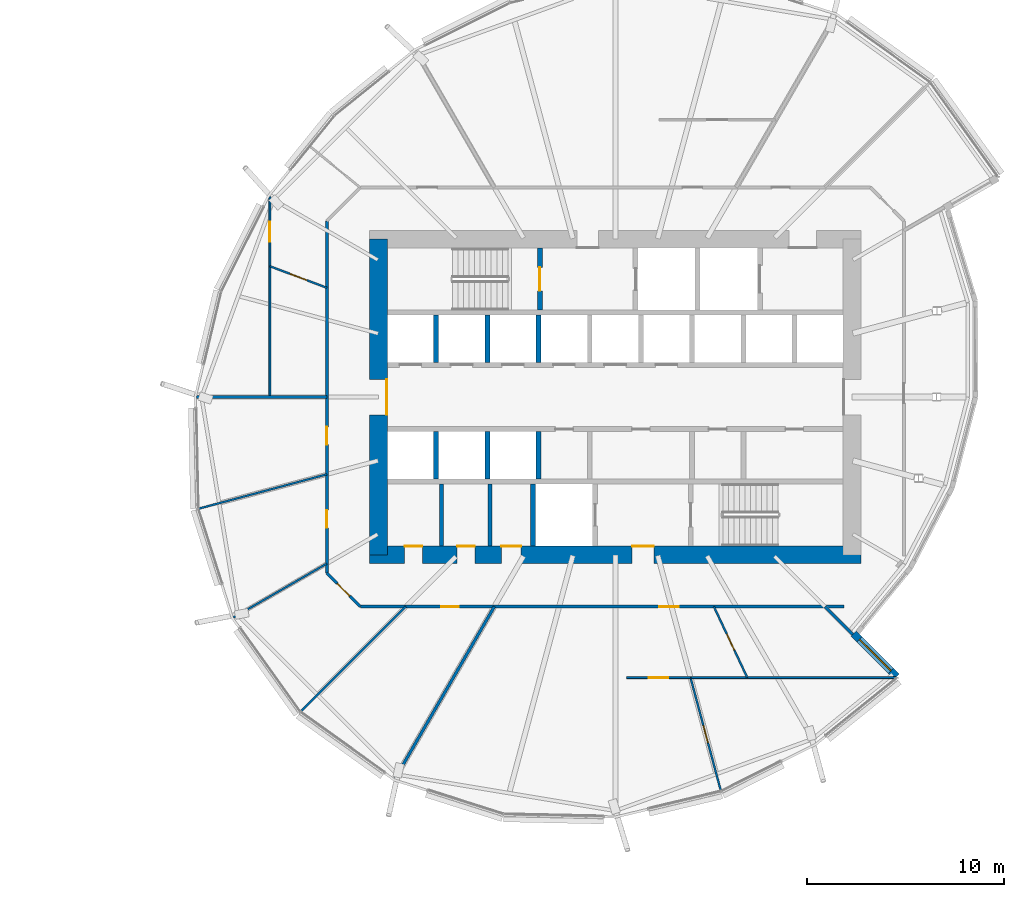
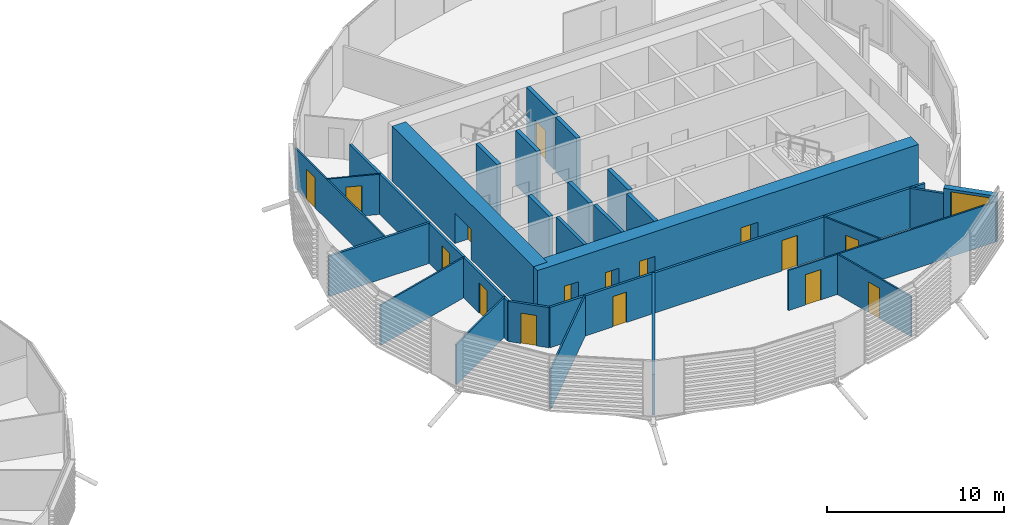
# One storey, part 23 of 37: 28 walls, 16 doors, 1 window, 17 openings.
"""IFC4 building model written with IfcOpenShell, lengths in metres."""

from ifc_helpers import new_model, si_unit, direction, frame, frame_2d, origin, place, context, subcontext, project, spatial, rectangle, extrude, material, layer, layer_set, type_object, element, fill, save


model = new_model("IFC4")

# Units and contexts
model_context = context("Model", 3, precision=1e-05, world=origin(), true_north=direction((0.0, 1.0)))
body_context = subcontext(model_context, "Body", "Model", "MODEL_VIEW")
ifc_project = project(units=[si_unit("LENGTHUNIT", "METRE"), si_unit("AREAUNIT", "SQUARE_METRE"), si_unit("VOLUMEUNIT", "CUBIC_METRE"), si_unit("PLANEANGLEUNIT", "RADIAN"), si_unit("MASSUNIT", "GRAM", prefix="KILO")], contexts=[model_context])

# Site, building, storey
site_placement = place(None, origin())
site = spatial("IfcSite", under=ifc_project, at=site_placement, CompositionType="ELEMENT")
building_placement = place(site_placement, origin())
building = spatial("IfcBuilding", under=site, at=building_placement, Name="Rimbun Link Towers", CompositionType="ELEMENT")
storey_placement = place(building_placement, frame((0.0, 0.0, 45.199951171875)))
storey = spatial("IfcBuildingStorey", under=building, at=storey_placement, Name="L10", CompositionType="ELEMENT", Elevation=45.199951171875)

# Wall, opening, window
ifc_material_1 = material(Name="Dark enamelled glass spandrel on insulated aluminium backpan", Category="aluminium")
ifc_layer_1 = layer(ifc_material_1, 0.3701171875)
ifc_layer_set_1 = layer_set([ifc_layer_1], Name="CS dark enamelled spandrel wall 370")
wall_type_1 = type_object("IfcWallType", Name="CS dark enamelled spandrel wall 370", PredefinedType="STANDARD", material=ifc_layer_set_1)
wall_1_placement = place(storey_placement, frame((43.83544921875, -11.99365234375, 0.0), z_axis=(0.0, 0.0, 1.0), x_axis=(0.707106781187, -0.707106781187, 0.0)))
wall_1 = element("IfcWall", 1, at=wall_1_placement, inside=storey, type_object=wall_type_1, Name="Crease spandrel wall", PredefinedType="STANDARD", context=body_context, shape_type="SweptSolid", body=[
    extrude(rectangle(XDim=3.080078125, YDim=0.3701171875, at=frame_2d((1.5400390625, 0.0))), origin(), (0.0, 0.0, 1.0), 3.1767578125),
])
opening_1_placement = place(wall_1_placement, frame((0.4150390625, 0.0, 0.300048828125)))
opening_1 = element("IfcOpeningElement", 2, at=opening_1_placement, cuts=wall_1, Name="Opening WR22H270", PredefinedType="OPENING", context=body_context, shape_type="SweptSolid", body=[
    extrude(rectangle(XDim=2.25, YDim=2.699951171875, at=frame_2d((1.125, 1.35009765625))), frame((0.0, 0.195068359375, 0.0), z_axis=(0.0, -1.0, 0.0), x_axis=(1.0, 0.0, 0.0)), (0.0, 0.0, 1.0), 0.39013671875),
])
ifc_material_2 = material(Name="Aluminium framed fixed window, dark tinted low-e glass", Category="aluminium")
window_type = type_object("IfcWindowType", Name="WR ribbon window 2250X2700", PartitioningType="SINGLE_PANEL", PredefinedType="WINDOW", material=ifc_material_2)
window_placement = place(opening_1_placement, origin())
window = element("IfcWindow", 3, at=window_placement, inside=storey, type_object=window_type, Name="Crease ribbon window", OverallHeight=2.699951171875, OverallWidth=2.25, PartitioningType="SINGLE_PANEL", PredefinedType="WINDOW", context=body_context, shape_type="SweptSolid", body=[
    extrude(rectangle(XDim=2.25, YDim=2.699951171875, at=frame_2d((1.125, 1.35009765625))), frame((0.0, 0.030029296875, 0.0), z_axis=(0.0, -1.0, 0.0), x_axis=(1.0, 0.0, 0.0)), (0.0, 0.0, 1.0), 0.06005859375),
])
fill(opening_1, window)

# Walls
ifc_material_3 = material(Name="Masonry blockwork", Category="masonry")
ifc_layer_2 = layer(ifc_material_3, 0.199951171875)
ifc_layer_set_2 = layer_set([ifc_layer_2], Name="Core partition 200")
wall_type_2 = type_object("IfcWallType", Name="Core partition 200", PredefinedType="PARTITIONING", material=ifc_layer_set_2)
for number, where, z_axis, x_axis, name in (
    (4, (22.949951171875, -4.39990234375, 0.0), (0.0, 0.0, 1.0), (0.0, -1.0, 0.0), "L10 T2 core wall C1"),
    (5, (25.39990234375, -4.39990234375, 0.0), (0.0, 0.0, 1.0), (0.0, -1.0, 0.0), "L10 T2 core wall C2"),
):
    element("IfcWall", number, at=place(storey_placement, frame(where, z_axis=z_axis, x_axis=x_axis)), inside=storey, type_object=wall_type_2, Name=name, PredefinedType="PARTITIONING", context=body_context, shape_type="SweptSolid", body=[
        extrude(rectangle(XDim=3.150146484375, YDim=0.199951171875, at=frame_2d((1.5751953125, 0.0))), origin(), (0.0, 0.0, 1.0), 3.800048828125),
    ])

# Wall, openings, doors
ifc_material_4 = material(Name="Concrete C60/75", Category="concrete")
ifc_layer_3 = layer(ifc_material_4, 0.89990234375)
ifc_layer_set_3 = layer_set([ifc_layer_3], Name="Core shear wall 900")
wall_type_3 = type_object("IfcWallType", Name="Core shear wall 900", PredefinedType="SHEAR", material=ifc_layer_set_3)
wall_2_placement = place(storey_placement, frame((19.300048828125, -8.0, 0.0), z_axis=(0.0, 0.0, 1.0), x_axis=(1.0, 0.0, 0.0)))
wall_2 = element("IfcWall", 6, at=wall_2_placement, inside=storey, type_object=wall_type_3, Name="L10 T2 core wall S", PredefinedType="SHEAR", context=body_context, shape_type="SweptSolid", body=[
    extrude(rectangle(XDim=24.89990234375, YDim=0.89990234375, at=frame_2d((12.449951171875, 0.0))), origin(), (0.0, 0.0, 1.0), 3.800048828125),
])
opening_2_placement = place(wall_2_placement, frame((13.300048828125, 0.0, 0.0)))
opening_2 = element("IfcOpeningElement", 7, at=opening_2_placement, cuts=wall_2, Name="Opening C2DCF01S", PredefinedType="OPENING", context=body_context, shape_type="SweptSolid", body=[
    extrude(rectangle(XDim=1.10009765625, YDim=2.10009765625, at=frame_2d((0.550048828125, 1.050048828125))), frame((0.0, 0.4599609375, 0.0), z_axis=(0.0, -1.0, 0.0), x_axis=(1.0, 0.0, 0.0)), (0.0, 0.0, 1.0), 0.919921875),
])
opening_3_placement = place(wall_2_placement, frame((1.77490234375, 0.0, 0.0)))
opening_3 = element("IfcOpeningElement", 8, at=opening_3_placement, cuts=wall_2, Name="Opening C2DWC02S", PredefinedType="OPENING", context=body_context, shape_type="SweptSolid", body=[
    extrude(rectangle(XDim=0.89990234375, YDim=2.10009765625, at=frame_2d((0.449951171875, 1.050048828125))), frame((0.0, 0.4599609375, 0.0), z_axis=(0.0, -1.0, 0.0), x_axis=(1.0, 0.0, 0.0)), (0.0, 0.0, 1.0), 0.919921875),
])
opening_4_placement = place(wall_2_placement, frame((4.425048828125, 0.0, 0.0)))
opening_4 = element("IfcOpeningElement", 9, at=opening_4_placement, cuts=wall_2, Name="Opening C2DWC03S", PredefinedType="OPENING", context=body_context, shape_type="SweptSolid", body=[
    extrude(rectangle(XDim=0.89990234375, YDim=2.10009765625, at=frame_2d((0.449951171875, 1.050048828125))), frame((0.0, 0.4599609375, 0.0), z_axis=(0.0, -1.0, 0.0), x_axis=(1.0, 0.0, 0.0)), (0.0, 0.0, 1.0), 0.919921875),
])
opening_5_placement = place(wall_2_placement, frame((6.675048828125, 0.0, 0.0)))
opening_5 = element("IfcOpeningElement", 10, at=opening_5_placement, cuts=wall_2, Name="Opening C2DAW04S", PredefinedType="OPENING", context=body_context, shape_type="SweptSolid", body=[
    extrude(rectangle(XDim=1.0, YDim=2.10009765625, at=frame_2d((0.5, 1.050048828125))), frame((0.0, 0.4599609375, 0.0), z_axis=(0.0, -1.0, 0.0), x_axis=(1.0, 0.0, 0.0)), (0.0, 0.0, 1.0), 0.919921875),
])
ifc_material_5 = material(Name="Timber", Category="wood")
door_type_1 = type_object("IfcDoorType", Name="Accessible WC door", OperationType="SINGLE_SWING_LEFT", PredefinedType="DOOR", material=ifc_material_5)
door_1_placement = place(opening_5_placement, origin())
door_1 = element("IfcDoor", 11, at=door_1_placement, inside=storey, type_object=door_type_1, Name="L10 T2 accessible wc door", OperationType="SINGLE_SWING_RIGHT", OverallHeight=2.10009765625, OverallWidth=1.0, PredefinedType="DOOR", context=body_context, shape_type="SweptSolid", body=[
    extrude(rectangle(XDim=1.0, YDim=2.10009765625, at=frame_2d((0.5, 1.050048828125))), frame((0.0, 0.4501953125, 0.0), z_axis=(0.0, -1.0, 0.0), x_axis=(1.0, 0.0, 0.0)), (0.0, 0.0, 1.0), 0.050048828125),
])
fill(opening_5, door_1)
ifc_material_6 = material(Name="Steel fire door set", Category="steel")
door_type_2 = type_object("IfcDoorType", Name="Core fire door single", OperationType="SINGLE_SWING_LEFT", PredefinedType="DOOR", material=ifc_material_6)
door_2_placement = place(opening_2_placement, origin())
door_2 = element("IfcDoor", 12, at=door_2_placement, inside=storey, type_object=door_type_2, Name="L10 T2 firefighting lobby s door", OperationType="SINGLE_SWING_RIGHT", OverallHeight=2.10009765625, OverallWidth=1.10009765625, PredefinedType="DOOR", context=body_context, shape_type="SweptSolid", body=[
    extrude(rectangle(XDim=1.10009765625, YDim=2.10009765625, at=frame_2d((0.550048828125, 1.050048828125))), frame((0.0, 0.4501953125, 0.0), z_axis=(0.0, -1.0, 0.0), x_axis=(1.0, 0.0, 0.0)), (0.0, 0.0, 1.0), 0.050048828125),
])
fill(opening_2, door_2)
ifc_material_7 = material(Name="Timber", Category="wood")
door_type_3 = type_object("IfcDoorType", Name="WC door", OperationType="SINGLE_SWING_LEFT", PredefinedType="DOOR", material=ifc_material_7)
door_3_placement = place(opening_3_placement, origin())
door_3 = element("IfcDoor", 13, at=door_3_placement, inside=storey, type_object=door_type_3, Name="L10 T2 male wc door", OperationType="SINGLE_SWING_LEFT", OverallHeight=2.10009765625, OverallWidth=0.89990234375, PredefinedType="DOOR", context=body_context, shape_type="SweptSolid", body=[
    extrude(rectangle(XDim=0.89990234375, YDim=2.10009765625, at=frame_2d((0.449951171875, 1.050048828125))), frame((0.0, 0.4501953125, 0.0), z_axis=(0.0, -1.0, 0.0), x_axis=(1.0, 0.0, 0.0)), (0.0, 0.0, 1.0), 0.050048828125),
])
fill(opening_3, door_3)
door_4_placement = place(opening_4_placement, origin())
door_4 = element("IfcDoor", 14, at=door_4_placement, inside=storey, type_object=door_type_3, Name="L10 T2 female wc door", OperationType="SINGLE_SWING_RIGHT", OverallHeight=2.10009765625, OverallWidth=0.89990234375, PredefinedType="DOOR", context=body_context, shape_type="SweptSolid", body=[
    extrude(rectangle(XDim=0.89990234375, YDim=2.10009765625, at=frame_2d((0.449951171875, 1.050048828125))), frame((0.0, 0.4501953125, 0.0), z_axis=(0.0, -1.0, 0.0), x_axis=(1.0, 0.0, 0.0)), (0.0, 0.0, 1.0), 0.050048828125),
])
fill(opening_4, door_4)

# Wall, opening, door
wall_3_placement = place(storey_placement, frame((19.75, -8.0, 0.0), z_axis=(0.0, 0.0, 1.0), x_axis=(0.0, 1.0, 0.0)))
wall_3 = element("IfcWall", 15, at=wall_3_placement, inside=storey, type_object=wall_type_3, Name="L10 T2 core wall W", PredefinedType="SHEAR", context=body_context, shape_type="SweptSolid", body=[
    extrude(rectangle(XDim=16.0, YDim=0.89990234375, at=frame_2d((8.0, 0.0))), origin(), (0.0, 0.0, 1.0), 3.800048828125),
])
opening_6_placement = place(wall_3_placement, frame((7.10009765625, 0.0, 0.0)))
opening_6 = element("IfcOpeningElement", 16, at=opening_6_placement, cuts=wall_3, Name="Opening C2DCL01W", PredefinedType="OPENING", context=body_context, shape_type="SweptSolid", body=[
    extrude(rectangle(XDim=1.800048828125, YDim=2.10009765625, at=frame_2d((0.89990234375, 1.050048828125))), frame((0.0, 0.4599609375, 0.0), z_axis=(0.0, -1.0, 0.0), x_axis=(1.0, 0.0, 0.0)), (0.0, 0.0, 1.0), 0.919921875),
])
ifc_material_8 = material(Name="Steel fire door set", Category="steel")
door_type_4 = type_object("IfcDoorType", Name="Core lobby door double", OperationType="DOUBLE_DOOR_SINGLE_SWING", PredefinedType="DOOR", material=ifc_material_8)
door_5_placement = place(opening_6_placement, origin())
door_5 = element("IfcDoor", 17, at=door_5_placement, inside=storey, type_object=door_type_4, Name="L10 T2 lift lobby door", OperationType="DOUBLE_DOOR_SINGLE_SWING", OverallHeight=2.10009765625, OverallWidth=1.800048828125, PredefinedType="DOOR", context=body_context, shape_type="SweptSolid", body=[
    extrude(rectangle(XDim=1.800048828125, YDim=2.10009765625, at=frame_2d((0.89990234375, 1.050048828125))), frame((0.0, -0.39990234375, 0.0), z_axis=(0.0, -1.0, 0.0), x_axis=(1.0, 0.0, 0.0)), (0.0, 0.0, 1.0), 0.050048828125),
])
fill(opening_6, door_5)

# Wall, openings, doors
ifc_material_9 = material(Name="Plasterboard on steel stud, mineral wool", Category="steel")
ifc_layer_4 = layer(ifc_material_9, 0.14990234375)
ifc_layer_set_4 = layer_set([ifc_layer_4], Name="Corridor wall EI 30 150 mm")
wall_type_4 = type_object("IfcWallType", Name="Corridor wall EI 30 150 mm", PredefinedType="PARTITIONING", material=ifc_layer_set_4)
wall_4_placement = place(storey_placement, frame((43.330322265625, -10.625, 0.0), z_axis=(0.0, 0.0, 1.0), x_axis=(-1.0, 0.0, 0.0)))
wall_4 = element("IfcWall", 18, at=wall_4_placement, inside=storey, type_object=wall_type_4, Name="Corridor wall EI 30 150 mm", PredefinedType="PARTITIONING", context=body_context, shape_type="SweptSolid", body=[
    extrude(rectangle(XDim=24.507080078125, YDim=0.14990234375, at=frame_2d((12.25341796875, 0.0))), origin(), (0.0, 0.0, 1.0), 2.779052734375),
])
opening_7_placement = place(wall_4_placement, frame((19.510009765625, 0.0, 0.0)))
opening_7 = element("IfcOpeningElement", 19, at=opening_7_placement, cuts=wall_4, Name="Opening D02", PredefinedType="OPENING", context=body_context, shape_type="SweptSolid", body=[
    extrude(rectangle(XDim=0.89990234375, YDim=2.10009765625, at=frame_2d((0.449951171875, 1.050048828125))), frame((0.0, 0.0849609375, 0.0), z_axis=(0.0, -1.0, 0.0), x_axis=(1.0, 0.0, 0.0)), (0.0, 0.0, 1.0), 0.169921875),
])
opening_8_placement = place(wall_4_placement, frame((8.35595703125, 0.0, 0.0)))
opening_8 = element("IfcOpeningElement", 20, at=opening_8_placement, cuts=wall_4, Name="Opening D01", PredefinedType="OPENING", context=body_context, shape_type="SweptSolid", body=[
    extrude(rectangle(XDim=1.0, YDim=2.10009765625, at=frame_2d((0.5, 1.050048828125))), frame((0.0, 0.0849609375, 0.0), z_axis=(0.0, -1.0, 0.0), x_axis=(1.0, 0.0, 0.0)), (0.0, 0.0, 1.0), 0.169921875),
])
ifc_material_10 = material(Name="Fire-resisting timber door leaf", Category="wood")
door_type_5 = type_object("IfcDoorType", Name="Fire door FD30S 1000", OperationType="NOTDEFINED", PredefinedType="DOOR", material=ifc_material_10)
door_6_placement = place(opening_8_placement, origin())
door_6 = element("IfcDoor", 21, at=door_6_placement, inside=storey, type_object=door_type_5, Name="Fire door FD30S 1000 to Reception", OperationType="SINGLE_SWING_LEFT", OverallHeight=2.10009765625, OverallWidth=1.0, PredefinedType="DOOR", context=body_context, shape_type="SweptSolid", body=[
    extrude(rectangle(XDim=1.0, YDim=2.10009765625, at=frame_2d((0.5, 1.050048828125))), frame((0.0, 0.02490234375, 0.0), z_axis=(0.0, -1.0, 0.0), x_axis=(1.0, 0.0, 0.0)), (0.0, 0.0, 1.0), 0.050048828125),
])
fill(opening_8, door_6)
ifc_material_11 = material(Name="Fire-resisting timber door leaf", Category="wood")
door_type_6 = type_object("IfcDoorType", Name="Fire door FD30S 900", OperationType="NOTDEFINED", PredefinedType="DOOR", material=ifc_material_11)
door_7_placement = place(opening_7_placement, origin())
door_7 = element("IfcDoor", 22, at=door_7_placement, inside=storey, type_object=door_type_6, Name="Fire door FD30S 900 to Meeting room", OperationType="SINGLE_SWING_RIGHT", OverallHeight=2.10009765625, OverallWidth=0.89990234375, PredefinedType="DOOR", context=body_context, shape_type="SweptSolid", body=[
    extrude(rectangle(XDim=0.89990234375, YDim=2.10009765625, at=frame_2d((0.449951171875, 1.050048828125))), frame((0.0, 0.02490234375, 0.0), z_axis=(0.0, -1.0, 0.0), x_axis=(1.0, 0.0, 0.0)), (0.0, 0.0, 1.0), 0.050048828125),
])
fill(opening_7, door_7)

# Wall, opening, door
wall_5_placement = place(storey_placement, frame((18.8232421875, -10.625, 0.0), z_axis=(0.0, 0.0, 1.0), x_axis=(-0.707106781187, 0.707106781187, 0.0)))
wall_5 = element("IfcWall", 23, at=wall_5_placement, inside=storey, type_object=wall_type_4, Name="Corridor wall EI 30 150 mm", PredefinedType="PARTITIONING", context=body_context, shape_type="SweptSolid", body=[
    extrude(rectangle(XDim=2.401611328125, YDim=0.14990234375, at=frame_2d((1.20068359375, 0.0))), origin(), (0.0, 0.0, 1.0), 2.779052734375),
])
opening_9_placement = place(wall_5_placement, frame((0.7509765625, 0.0, 0.0)))
opening_9 = element("IfcOpeningElement", 24, at=opening_9_placement, cuts=wall_5, Name="Opening D02", PredefinedType="OPENING", context=body_context, shape_type="SweptSolid", body=[
    extrude(rectangle(XDim=0.89990234375, YDim=2.10009765625, at=frame_2d((0.449951171875, 1.050048828125))), frame((0.0, 0.0849609375, 0.0), z_axis=(0.0, -1.0, 0.0), x_axis=(1.0, 0.0, 0.0)), (0.0, 0.0, 1.0), 0.169921875),
])
door_8_placement = place(opening_9_placement, origin())
door_8 = element("IfcDoor", 25, at=door_8_placement, inside=storey, type_object=door_type_6, Name="Fire door FD30S 900 to Cellular office", OperationType="SINGLE_SWING_LEFT", OverallHeight=2.10009765625, OverallWidth=0.89990234375, PredefinedType="DOOR", context=body_context, shape_type="SweptSolid", body=[
    extrude(rectangle(XDim=0.89990234375, YDim=2.10009765625, at=frame_2d((0.449951171875, 1.050048828125))), frame((0.0, 0.02490234375, 0.0), z_axis=(0.0, -1.0, 0.0), x_axis=(1.0, 0.0, 0.0)), (0.0, 0.0, 1.0), 0.050048828125),
])
fill(opening_9, door_8)

# Wall, openings, doors
wall_6_placement = place(storey_placement, frame((17.125, -8.9267578125, 0.0), z_axis=(0.0, 0.0, 1.0), x_axis=(0.0, 1.0, 0.0)))
wall_6 = element("IfcWall", 26, at=wall_6_placement, inside=storey, type_object=wall_type_4, Name="Corridor wall EI 30 150 mm", PredefinedType="PARTITIONING", context=body_context, shape_type="SweptSolid", body=[
    extrude(rectangle(XDim=17.853515625, YDim=0.14990234375, at=frame_2d((8.9267578125, 0.0))), origin(), (0.0, 0.0, 1.0), 2.779052734375),
])
opening_10_placement = place(wall_6_placement, frame((6.517333984375, 0.0, 0.0)))
opening_10 = element("IfcOpeningElement", 27, at=opening_10_placement, cuts=wall_6, Name="Opening D02", PredefinedType="OPENING", context=body_context, shape_type="SweptSolid", body=[
    extrude(rectangle(XDim=0.89990234375, YDim=2.10009765625, at=frame_2d((0.449951171875, 1.050048828125))), frame((0.0, 0.0849609375, 0.0), z_axis=(0.0, -1.0, 0.0), x_axis=(1.0, 0.0, 0.0)), (0.0, 0.0, 1.0), 0.169921875),
])
opening_11_placement = place(wall_6_placement, frame((2.29541015625, 0.0, 0.0)))
opening_11 = element("IfcOpeningElement", 28, at=opening_11_placement, cuts=wall_6, Name="Opening D02", PredefinedType="OPENING", context=body_context, shape_type="SweptSolid", body=[
    extrude(rectangle(XDim=0.89990234375, YDim=2.10009765625, at=frame_2d((0.449951171875, 1.050048828125))), frame((0.0, 0.0849609375, 0.0), z_axis=(0.0, -1.0, 0.0), x_axis=(1.0, 0.0, 0.0)), (0.0, 0.0, 1.0), 0.169921875),
])
door_9_placement = place(opening_10_placement, origin())
door_9 = element("IfcDoor", 29, at=door_9_placement, inside=storey, type_object=door_type_6, Name="Fire door FD30S 900 to Cellular office", OperationType="SINGLE_SWING_LEFT", OverallHeight=2.10009765625, OverallWidth=0.89990234375, PredefinedType="DOOR", context=body_context, shape_type="SweptSolid", body=[
    extrude(rectangle(XDim=0.89990234375, YDim=2.10009765625, at=frame_2d((0.449951171875, 1.050048828125))), frame((0.0, 0.02490234375, 0.0), z_axis=(0.0, -1.0, 0.0), x_axis=(1.0, 0.0, 0.0)), (0.0, 0.0, 1.0), 0.050048828125),
])
fill(opening_10, door_9)
door_10_placement = place(opening_11_placement, origin())
door_10 = element("IfcDoor", 30, at=door_10_placement, inside=storey, type_object=door_type_6, Name="Fire door FD30S 900 to Cellular office", OperationType="SINGLE_SWING_RIGHT", OverallHeight=2.10009765625, OverallWidth=0.89990234375, PredefinedType="DOOR", context=body_context, shape_type="SweptSolid", body=[
    extrude(rectangle(XDim=0.89990234375, YDim=2.10009765625, at=frame_2d((0.449951171875, 1.050048828125))), frame((0.0, 0.02490234375, 0.0), z_axis=(0.0, -1.0, 0.0), x_axis=(1.0, 0.0, 0.0)), (0.0, 0.0, 1.0), 0.050048828125),
])
fill(opening_11, door_10)

# Wall, opening, door
ifc_material_12 = material(Name="Plasterboard on steel stud", Category="steel")
ifc_layer_5 = layer(ifc_material_12, 0.10009765625)
ifc_layer_set_5 = layer_set([ifc_layer_5], Name="Plasterboard partition 100 mm")
wall_type_5 = type_object("IfcWallType", Name="Plasterboard partition 100 mm", PredefinedType="PARTITIONING", material=ifc_layer_set_5)
wall_7_placement = place(storey_placement, frame((17.125, 5.537841796875, 0.0), z_axis=(0.0, 0.0, 1.0), x_axis=(-0.935190478961, 0.354145122882, 0.0)))
wall_7 = element("IfcWall", 31, at=wall_7_placement, inside=storey, type_object=wall_type_5, Name="Plasterboard partition 100 mm", PredefinedType="PARTITIONING", context=body_context, shape_type="SweptSolid", body=[
    extrude(rectangle(XDim=3.079345703125, YDim=0.10009765625, at=frame_2d((1.53955078125, 0.0))), origin(), (0.0, 0.0, 1.0), 2.779052734375),
])
opening_12_placement = place(wall_7_placement, frame((1.08984375, 0.0, 0.0)))
opening_12 = element("IfcOpeningElement", 32, at=opening_12_placement, cuts=wall_7, Name="Opening D04", PredefinedType="OPENING", context=body_context, shape_type="SweptSolid", body=[
    extrude(rectangle(XDim=0.89990234375, YDim=2.10009765625, at=frame_2d((0.449951171875, 1.050048828125))), frame((0.0, 0.06005859375, 0.0), z_axis=(0.0, -1.0, 0.0), x_axis=(1.0, 0.0, 0.0)), (0.0, 0.0, 1.0), 0.1201171875),
])
ifc_material_13 = material(Name="Timber door leaf", Category="wood")
door_type_7 = type_object("IfcDoorType", Name="Flush door 900", OperationType="NOTDEFINED", PredefinedType="DOOR", material=ifc_material_13)
door_11_placement = place(opening_12_placement, origin())
door_11 = element("IfcDoor", 33, at=door_11_placement, inside=storey, type_object=door_type_7, Name="Flush door 900 to Strong room", OperationType="SINGLE_SWING_RIGHT", OverallHeight=2.10009765625, OverallWidth=0.89990234375, PredefinedType="DOOR", context=body_context, shape_type="SweptSolid", body=[
    extrude(rectangle(XDim=0.89990234375, YDim=2.10009765625, at=frame_2d((0.449951171875, 1.050048828125))), frame((0.0, 0.02490234375, 0.0), z_axis=(0.0, -1.0, 0.0), x_axis=(1.0, 0.0, 0.0)), (0.0, 0.0, 1.0), 0.050048828125),
])
fill(opening_12, door_11)

wall_8_placement = place(storey_placement, frame((14.2451171875, 0.0, 0.0), z_axis=(0.0, 0.0, 1.0), x_axis=(0.0, 1.0, 0.0)))
wall_8 = element("IfcWall", 34, at=wall_8_placement, inside=storey, type_object=wall_type_5, Name="Plasterboard partition 100 mm", PredefinedType="PARTITIONING", context=body_context, shape_type="SweptSolid", body=[
    extrude(rectangle(XDim=10.162109375, YDim=0.10009765625, at=frame_2d((5.0810546875, 0.0))), origin(), (0.0, 0.0, 1.0), 2.779052734375),
])
opening_13_placement = place(wall_8_placement, frame((7.879150390625, 0.0, 0.0)))
opening_13 = element("IfcOpeningElement", 35, at=opening_13_placement, cuts=wall_8, Name="Opening D03", PredefinedType="OPENING", context=body_context, shape_type="SweptSolid", body=[
    extrude(rectangle(XDim=1.0, YDim=2.10009765625, at=frame_2d((0.5, 1.050048828125))), frame((0.0, 0.06005859375, 0.0), z_axis=(0.0, -1.0, 0.0), x_axis=(1.0, 0.0, 0.0)), (0.0, 0.0, 1.0), 0.1201171875),
])
ifc_material_14 = material(Name="Timber door leaf", Category="wood")
door_type_8 = type_object("IfcDoorType", Name="Flush door 1000", OperationType="NOTDEFINED", PredefinedType="DOOR", material=ifc_material_14)
door_12_placement = place(opening_13_placement, origin())
door_12 = element("IfcDoor", 36, at=door_12_placement, inside=storey, type_object=door_type_8, Name="Flush door 1000 to Banking hall", OperationType="SINGLE_SWING_LEFT", OverallHeight=2.10009765625, OverallWidth=1.0, PredefinedType="DOOR", context=body_context, shape_type="SweptSolid", body=[
    extrude(rectangle(XDim=1.0, YDim=2.10009765625, at=frame_2d((0.5, 1.050048828125))), frame((0.0, 0.02490234375, 0.0), z_axis=(0.0, -1.0, 0.0), x_axis=(1.0, 0.0, 0.0)), (0.0, 0.0, 1.0), 0.050048828125),
])
fill(opening_13, door_12)

# Walls
wall_9_placement = place(storey_placement, frame((10.63720703125, -5.656982421875, 0.0), z_axis=(0.0, 0.0, 1.0), x_axis=(0.965930204712, 0.258802704055, 0.0)))
element("IfcWall", 37, at=wall_9_placement, inside=storey, type_object=wall_type_5, Name="Plasterboard partition 100 mm", PredefinedType="PARTITIONING", context=body_context, shape_type="SweptSolid", body=[
    extrude(rectangle(XDim=6.716552734375, YDim=0.10009765625, at=frame_2d((3.3583984375, 0.0))), origin(), (0.0, 0.0, 1.0), 2.779052734375),
])
wall_10_placement = place(storey_placement, frame((12.392578125, -11.176025390625, 0.0), z_axis=(0.0, 0.0, 1.0), x_axis=(0.866032322181, 0.499988016794, 0.0)))
element("IfcWall", 38, at=wall_10_placement, inside=storey, type_object=wall_type_5, Name="Plasterboard partition 100 mm", PredefinedType="PARTITIONING", context=body_context, shape_type="SweptSolid", body=[
    extrude(rectangle(XDim=5.464599609375, YDim=0.10009765625, at=frame_2d((2.732421875, 0.0))), origin(), (0.0, 0.0, 1.0), 2.779052734375),
])
wall_11_placement = place(storey_placement, frame((15.810546875, -15.939453125, 0.0), z_axis=(0.0, 0.0, 1.0), x_axis=(0.707106781187, 0.707106781187, 0.0)))
element("IfcWall", 39, at=wall_11_placement, inside=storey, type_object=wall_type_5, Name="Plasterboard partition 100 mm", PredefinedType="PARTITIONING", context=body_context, shape_type="SweptSolid", body=[
    extrude(rectangle(XDim=7.515869140625, YDim=0.10009765625, at=frame_2d((3.7578125, 0.0))), origin(), (0.0, 0.0, 1.0), 2.779052734375),
])

# Wall, opening, door
wall_12_placement = place(storey_placement, frame((36.746826171875, -10.625, 0.0), z_axis=(0.0, 0.0, 1.0), x_axis=(0.425581283006, -0.904920201761, 0.0)))
wall_12 = element("IfcWall", 40, at=wall_12_placement, inside=storey, type_object=wall_type_5, Name="Plasterboard partition 100 mm", PredefinedType="PARTITIONING", context=body_context, shape_type="SweptSolid", body=[
    extrude(rectangle(XDim=3.978271484375, YDim=0.10009765625, at=frame_2d((1.9892578125, 0.0))), origin(), (0.0, 0.0, 1.0), 2.779052734375),
])
opening_14_placement = place(wall_12_placement, frame((1.5390625, 0.0, 0.0)))
opening_14 = element("IfcOpeningElement", 41, at=opening_14_placement, cuts=wall_12, Name="Opening D04", PredefinedType="OPENING", context=body_context, shape_type="SweptSolid", body=[
    extrude(rectangle(XDim=0.89990234375, YDim=2.10009765625, at=frame_2d((0.449951171875, 1.050048828125))), frame((0.0, 0.06005859375, 0.0), z_axis=(0.0, -1.0, 0.0), x_axis=(1.0, 0.0, 0.0)), (0.0, 0.0, 1.0), 0.1201171875),
])
door_13_placement = place(opening_14_placement, origin())
door_13 = element("IfcDoor", 42, at=door_13_placement, inside=storey, type_object=door_type_7, Name="Flush door 900 to Meeting room", OperationType="SINGLE_SWING_LEFT", OverallHeight=2.10009765625, OverallWidth=0.89990234375, PredefinedType="DOOR", context=body_context, shape_type="SweptSolid", body=[
    extrude(rectangle(XDim=0.89990234375, YDim=2.10009765625, at=frame_2d((0.449951171875, 1.050048828125))), frame((0.0, 0.02490234375, 0.0), z_axis=(0.0, -1.0, 0.0), x_axis=(1.0, 0.0, 0.0)), (0.0, 0.0, 1.0), 0.050048828125),
])
fill(opening_14, door_13)

wall_13_placement = place(storey_placement, frame((35.5615234375, -14.22509765625, 0.0), z_axis=(0.0, 0.0, 1.0), x_axis=(-1.0, 0.0, 0.0)))
wall_13 = element("IfcWall", 43, at=wall_13_placement, inside=storey, type_object=wall_type_5, Name="Plasterboard partition 100 mm", PredefinedType="PARTITIONING", context=body_context, shape_type="SweptSolid", body=[
    extrude(rectangle(XDim=3.236083984375, YDim=0.10009765625, at=frame_2d((1.6181640625, 0.0))), origin(), (0.0, 0.0, 1.0), 2.779052734375),
])
opening_15_placement = place(wall_13_placement, frame((1.117919921875, 0.0, 0.0)))
opening_15 = element("IfcOpeningElement", 44, at=opening_15_placement, cuts=wall_13, Name="Opening D03", PredefinedType="OPENING", context=body_context, shape_type="SweptSolid", body=[
    extrude(rectangle(XDim=1.0, YDim=2.10009765625, at=frame_2d((0.5, 1.050048828125))), frame((0.0, 0.06005859375, 0.0), z_axis=(0.0, -1.0, 0.0), x_axis=(1.0, 0.0, 0.0)), (0.0, 0.0, 1.0), 0.1201171875),
])
door_14_placement = place(opening_15_placement, origin())
door_14 = element("IfcDoor", 45, at=door_14_placement, inside=storey, type_object=door_type_8, Name="Flush door 1000 to Co-working space", OperationType="SINGLE_SWING_RIGHT", OverallHeight=2.10009765625, OverallWidth=1.0, PredefinedType="DOOR", context=body_context, shape_type="SweptSolid", body=[
    extrude(rectangle(XDim=1.0, YDim=2.10009765625, at=frame_2d((0.5, 1.050048828125))), frame((0.0, 0.02490234375, 0.0), z_axis=(0.0, -1.0, 0.0), x_axis=(1.0, 0.0, 0.0)), (0.0, 0.0, 1.0), 0.050048828125),
])
fill(opening_15, door_14)

# Wall
wall_14_placement = place(storey_placement, frame((35.5615234375, -14.22509765625, 0.0), z_axis=(0.0, 0.0, 1.0), x_axis=(1.0, 0.0, 0.0)))
element("IfcWall", 46, at=wall_14_placement, inside=storey, type_object=wall_type_5, Name="Plasterboard partition 100 mm", PredefinedType="PARTITIONING", context=body_context, shape_type="SweptSolid", body=[
    extrude(rectangle(XDim=10.41357421875, YDim=0.10009765625, at=frame_2d((5.206787109375, 0.0))), origin(), (0.0, 0.0, 1.0), 2.779052734375),
])

# Wall, opening, door
wall_15_placement = place(storey_placement, frame((35.5615234375, -14.22509765625, 0.0), z_axis=(0.0, 0.0, 1.0), x_axis=(0.25883348972, -0.96592195575, 0.0)))
wall_15 = element("IfcWall", 47, at=wall_15_placement, inside=storey, type_object=wall_type_5, Name="Plasterboard partition 100 mm", PredefinedType="PARTITIONING", context=body_context, shape_type="SweptSolid", body=[
    extrude(rectangle(XDim=5.93017578125, YDim=0.10009765625, at=frame_2d((2.965087890625, 0.0))), origin(), (0.0, 0.0, 1.0), 2.779052734375),
])
opening_16_placement = place(wall_15_placement, frame((2.51513671875, 0.0, 0.0)))
opening_16 = element("IfcOpeningElement", 48, at=opening_16_placement, cuts=wall_15, Name="Opening D04", PredefinedType="OPENING", context=body_context, shape_type="SweptSolid", body=[
    extrude(rectangle(XDim=0.89990234375, YDim=2.10009765625, at=frame_2d((0.449951171875, 1.050048828125))), frame((0.0, 0.06005859375, 0.0), z_axis=(0.0, -1.0, 0.0), x_axis=(1.0, 0.0, 0.0)), (0.0, 0.0, 1.0), 0.1201171875),
])
door_15_placement = place(opening_16_placement, origin())
door_15 = element("IfcDoor", 49, at=door_15_placement, inside=storey, type_object=door_type_7, Name="Flush door 900 to Serviced office", OperationType="SINGLE_SWING_LEFT", OverallHeight=2.10009765625, OverallWidth=0.89990234375, PredefinedType="DOOR", context=body_context, shape_type="SweptSolid", body=[
    extrude(rectangle(XDim=0.89990234375, YDim=2.10009765625, at=frame_2d((0.449951171875, 1.050048828125))), frame((0.0, 0.02490234375, 0.0), z_axis=(0.0, -1.0, 0.0), x_axis=(1.0, 0.0, 0.0)), (0.0, 0.0, 1.0), 0.050048828125),
])
fill(opening_16, door_15)

# Walls
ifc_material_15 = material(Name="Concrete C60/75", Category="concrete")
ifc_layer_6 = layer(ifc_material_15, 0.25)
ifc_layer_set_6 = layer_set([ifc_layer_6], Name="Shaft wall 250")
wall_type_6 = type_object("IfcWallType", Name="Shaft wall 250", PredefinedType="SHEAR", material=ifc_layer_set_6)
for number, where, z_axis, x_axis, name in (
    (50, (22.66943359375, 1.75, 0.0), (0.0, 0.0, 1.0), (0.0, 1.0, 0.0), "L10 T2 core wall DN0"),
    (51, (25.263916015625, 1.75, 0.0), (0.0, 0.0, 1.0), (0.0, 1.0, 0.0), "L10 T2 core wall DN1"),
    (52, (27.8583984375, 1.75, 0.0), (0.0, 0.0, 1.0), (0.0, 1.0, 0.0), "L10 T2 core wall DN2"),
    (53, (22.66943359375, -4.14990234375, 0.0), (0.0, 0.0, 1.0), (0.0, 1.0, 0.0), "L10 T2 core wall DS0"),
    (54, (25.263916015625, -4.14990234375, 0.0), (0.0, 0.0, 1.0), (0.0, 1.0, 0.0), "L10 T2 core wall DS1"),
    (55, (27.8583984375, -4.14990234375, 0.0), (0.0, 0.0, 1.0), (0.0, 1.0, 0.0), "L10 T2 core wall DS2"),
):
    element("IfcWall", number, at=place(storey_placement, frame(where, z_axis=z_axis, x_axis=x_axis)), inside=storey, type_object=wall_type_6, Name=name, PredefinedType="SHEAR", context=body_context, shape_type="SweptSolid", body=[
        extrude(rectangle(XDim=2.39990234375, YDim=0.25, at=frame_2d((1.199951171875, 0.0))), origin(), (0.0, 0.0, 1.0), 3.800048828125),
    ])

# Wall, opening, door
wall_16_placement = place(storey_placement, frame((27.925048828125, 4.39990234375, 0.0), z_axis=(0.0, 0.0, 1.0), x_axis=(0.0, 1.0, 0.0)))
wall_16 = element("IfcWall", 56, at=wall_16_placement, inside=storey, type_object=wall_type_6, Name="L10 T2 core wall A1", PredefinedType="SHEAR", context=body_context, shape_type="SweptSolid", body=[
    extrude(rectangle(XDim=3.150146484375, YDim=0.25, at=frame_2d((1.5751953125, 0.0))), origin(), (0.0, 0.0, 1.0), 3.800048828125),
])
opening_17_placement = place(wall_16_placement, frame((0.97509765625, 0.0, 0.0)))
opening_17 = element("IfcOpeningElement", 57, at=opening_17_placement, cuts=wall_16, Name="Opening C2DST01A1", PredefinedType="OPENING", context=body_context, shape_type="SweptSolid", body=[
    extrude(rectangle(XDim=1.199951171875, YDim=2.10009765625, at=frame_2d((0.60009765625, 1.050048828125))), frame((0.0, 0.135009765625, 0.0), z_axis=(0.0, -1.0, 0.0), x_axis=(1.0, 0.0, 0.0)), (0.0, 0.0, 1.0), 0.27001953125),
])
ifc_material_16 = material(Name="Steel fire door set", Category="steel")
door_type_9 = type_object("IfcDoorType", Name="Stair door", OperationType="SINGLE_SWING_LEFT", PredefinedType="DOOR", material=ifc_material_16)
door_16_placement = place(opening_17_placement, origin())
door_16 = element("IfcDoor", 58, at=door_16_placement, inside=storey, type_object=door_type_9, Name="L10 T2 stair a door", OperationType="SINGLE_SWING_LEFT", OverallHeight=2.10009765625, OverallWidth=1.199951171875, PredefinedType="DOOR", context=body_context, shape_type="SweptSolid", body=[
    extrude(rectangle(XDim=1.199951171875, YDim=2.10009765625, at=frame_2d((0.60009765625, 1.050048828125))), frame((0.0, 0.02490234375, 0.0), z_axis=(0.0, -1.0, 0.0), x_axis=(1.0, 0.0, 0.0)), (0.0, 0.0, 1.0), 0.050048828125),
])
fill(opening_17, door_16)

# Walls
wall_17_placement = place(storey_placement, frame((27.574951171875, -4.39990234375, 0.0), z_axis=(0.0, 0.0, 1.0), x_axis=(0.0, -1.0, 0.0)))
element("IfcWall", 59, at=wall_17_placement, inside=storey, type_object=wall_type_6, Name="L10 T2 core wall B3", PredefinedType="SHEAR", context=body_context, shape_type="SweptSolid", body=[
    extrude(rectangle(XDim=3.150146484375, YDim=0.25, at=frame_2d((1.5751953125, 0.0))), origin(), (0.0, 0.0, 1.0), 3.800048828125),
])
ifc_material_17 = material(Name="Plasterboard on steel stud, mineral wool", Category="steel")
ifc_layer_7 = layer(ifc_material_17, 0.14990234375)
ifc_layer_set_7 = layer_set([ifc_layer_7], Name="Tenancy separation wall EI 60 150 mm")
wall_type_7 = type_object("IfcWallType", Name="Tenancy separation wall EI 60 150 mm", PredefinedType="PARTITIONING", material=ifc_layer_set_7)
wall_18_placement = place(storey_placement, frame((17.125, 0.0, 0.0), z_axis=(0.0, 0.0, 1.0), x_axis=(-1.0, 0.0, 0.0)))
element("IfcWall", 60, at=wall_18_placement, inside=storey, type_object=wall_type_7, Name="Tenancy separation wall EI 60 150 mm", PredefinedType="PARTITIONING", context=body_context, shape_type="SweptSolid", body=[
    extrude(rectangle(XDim=6.60693359375, YDim=0.14990234375, at=frame_2d((3.303466796875, 0.0))), origin(), (0.0, 0.0, 1.0), 2.779052734375),
])
wall_19_placement = place(storey_placement, frame((25.615478515625, -10.625, 0.0), z_axis=(0.0, 0.0, 1.0), x_axis=(-0.499987934352, -0.866032369777, 0.0)))
element("IfcWall", 61, at=wall_19_placement, inside=storey, type_object=wall_type_7, Name="Tenancy separation wall EI 60 150 mm", PredefinedType="PARTITIONING", context=body_context, shape_type="SweptSolid", body=[
    extrude(rectangle(XDim=10.083251953125, YDim=0.14990234375, at=frame_2d((5.04150390625, 0.0))), origin(), (0.0, 0.0, 1.0), 2.779052734375),
])
wall_20_placement = place(storey_placement, frame((42.375, -10.625, 0.0), z_axis=(0.0, 0.0, 1.0), x_axis=(0.707106781187, -0.707106781187, 0.0)))
element("IfcWall", 62, at=wall_20_placement, inside=storey, type_object=wall_type_7, Name="Tenancy separation wall EI 60 150 mm", PredefinedType="PARTITIONING", context=body_context, shape_type="SweptSolid", body=[
    extrude(rectangle(XDim=2.00048828125, YDim=0.14990234375, at=frame_2d((1.000244140625, 0.0))), origin(), (0.0, 0.0, 1.0), 2.779052734375),
])

save(model, "model.ifc")
